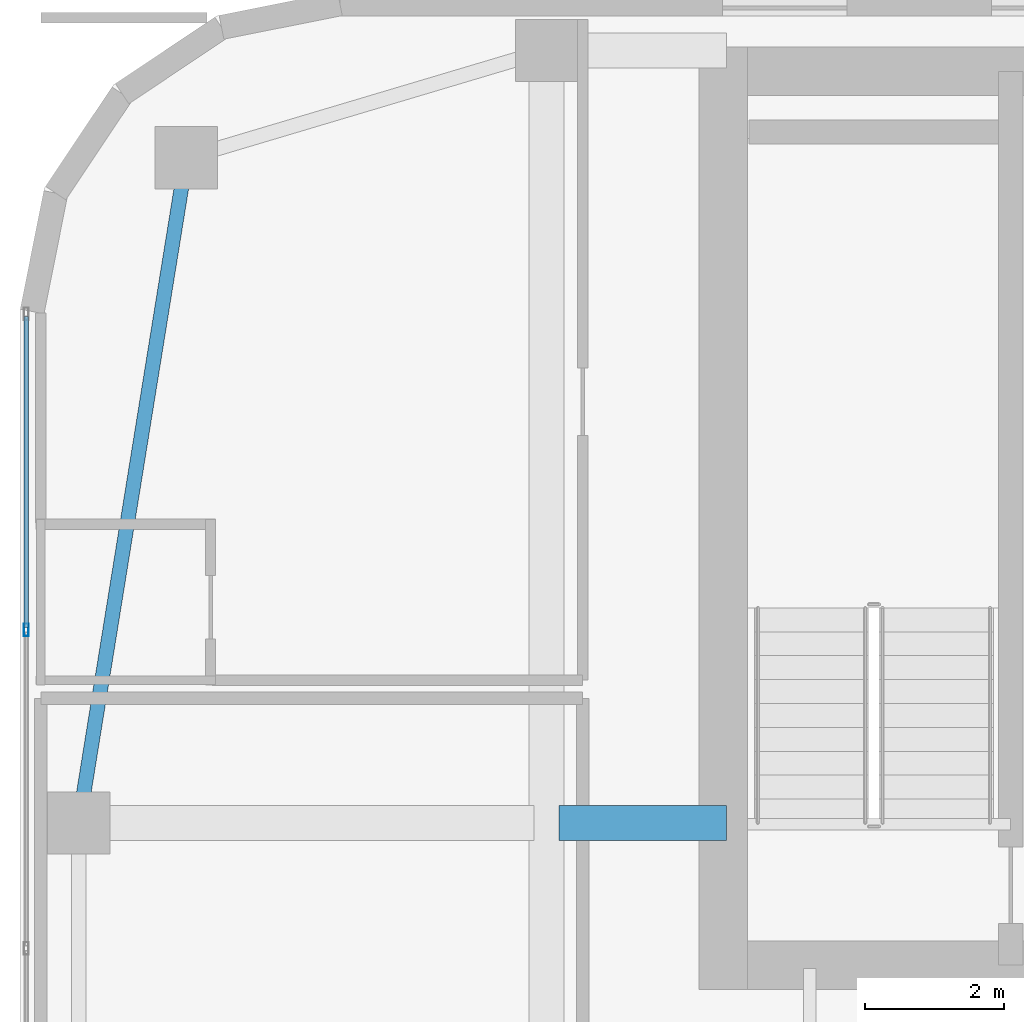
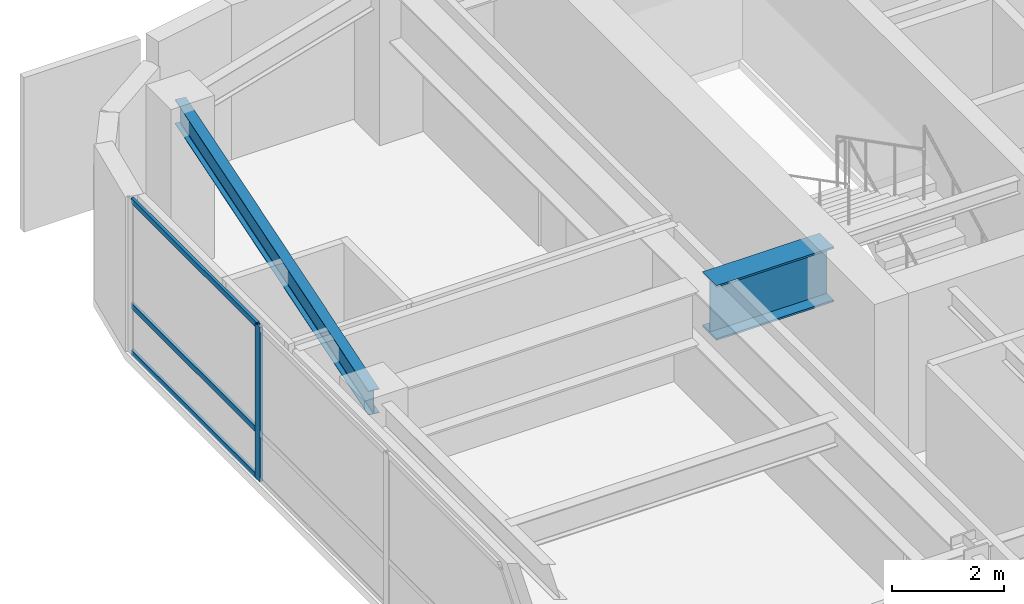
# One storey, part 22 of 37: 4 members, 2 beams, 1 element without a shape of its own.
"""IFC4 building model written with IfcOpenShell, lengths in metres."""

import ifcopenshell
import ifcopenshell.guid

model = None  # the IFC model being written
_history = None  # IfcOwnerHistory: only IFC2X3 demands one
_inside = {}  # id of a spatial element -> (the spatial element, [elements in it])
_under = {}  # id of a project, library or spatial element -> (it, [spatial elements below it])
_declared = {}  # id of a project -> (the project, [libraries it declares])
_typed = {}  # id of a type object -> (the type object, [elements of that type])
_made_of = {}  # id of a material, layer set ... -> (it, [elements and type objects made of it])


def new_model(schema):
    """Start an empty IFC model of exactly this schema.

    Asked for "IFC4X3", IfcOpenShell would pick the latest addendum, in which some entities
    have other attributes; the version numbers below select the first issue.
    IFC2X3 requires an IfcOwnerHistory on every rooted entity: one is made here for all.
    """
    global model, _history
    if schema == "IFC4X3":
        model = ifcopenshell.file(schema_version=(4, 3, 0, 0))
    else:
        model = ifcopenshell.file(schema=schema)
    _inside.clear()
    _under.clear()
    _declared.clear()
    _typed.clear()
    _made_of.clear()
    _history = None
    if model.schema == "IFC2X3":
        org = make("IfcOrganization", Name="unknown")
        user = make(
            "IfcPersonAndOrganization",
            ThePerson=make("IfcPerson", FamilyName="unknown"),
            TheOrganization=org,
        )
        app = make(
            "IfcApplication",
            ApplicationDeveloper=org,
            Version="unknown",
            ApplicationFullName="unknown",
            ApplicationIdentifier="unknown",
        )
        _history = make(
            "IfcOwnerHistory",
            OwningUser=user,
            OwningApplication=app,
            ChangeAction="ADDED",
            CreationDate=0,
        )
    return model


def make(cls, **values):
    """One entity of the class cls with the attributes given. An attribute that is None is left unset."""
    return model.create_entity(
        cls, **{name: value for name, value in values.items() if value is not None}
    )


def rooted(cls, **values):
    """An entity with a GlobalId (a new one), such as an element, a storey or a relation."""
    return make(cls, GlobalId=ifcopenshell.guid.new(), OwnerHistory=_history, **values)


def si_unit(unit_type, name, prefix=None):
    """IfcSIUnit, for example si_unit("LENGTHUNIT", "METRE", prefix="MILLI")."""
    return make("IfcSIUnit", UnitType=unit_type, Prefix=prefix, Name=name)


def assignment(units):
    """IfcUnitAssignment: the units of a project."""
    return None if units is None else make("IfcUnitAssignment", Units=units)


def point(xyz):
    """IfcCartesianPoint."""
    return None if xyz is None else make("IfcCartesianPoint", Coordinates=xyz)


def direction(xyz):
    """IfcDirection."""
    return None if xyz is None else make("IfcDirection", DirectionRatios=xyz)


def frame(location, z_axis=None, x_axis=None):
    """IfcAxis2Placement3D, a coordinate frame: its origin and axes. An axis left out is left unset."""
    return make(
        "IfcAxis2Placement3D",
        Location=point(location),
        Axis=direction(z_axis),
        RefDirection=direction(x_axis),
    )


def frame_2d(location, x_axis=None):
    """IfcAxis2Placement2D, a coordinate frame in the plane: its origin and x axis."""
    return make(
        "IfcAxis2Placement2D", Location=point(location), RefDirection=direction(x_axis)
    )


def origin():
    """The frame at (0, 0, 0) with its axes left unset."""
    return frame((0.0, 0.0, 0.0))


def origin_2d():
    """The frame at (0, 0) in the plane with its x axis left unset."""
    return frame_2d((0.0, 0.0))


def place(relative_to, where):
    """IfcLocalPlacement: puts the frame where relative to a parent placement (None: the world)."""
    return make(
        "IfcLocalPlacement", PlacementRelTo=relative_to, RelativePlacement=where
    )


def context(
    kind, dimensions, precision=None, world=None, true_north=None, identifier=None
):
    """IfcGeometricRepresentationContext, for example the 3D "Model" context."""
    return make(
        "IfcGeometricRepresentationContext",
        ContextIdentifier=identifier,
        ContextType=kind,
        CoordinateSpaceDimension=dimensions,
        Precision=precision,
        WorldCoordinateSystem=world,
        TrueNorth=true_north,
    )


def subcontext(parent, identifier, kind, view, scale=None):
    """IfcGeometricRepresentationSubContext, for example "Body" below "Model"."""
    return make(
        "IfcGeometricRepresentationSubContext",
        ContextIdentifier=identifier,
        ContextType=kind,
        ParentContext=parent,
        TargetScale=scale,
        TargetView=view,
    )


def project(units=None, contexts=None):
    """IfcProject with its units and contexts."""
    return rooted(
        "IfcProject",
        Name="project",
        RepresentationContexts=contexts,
        UnitsInContext=assignment(units),
    )


def spatial(cls, under=None, at=None, **own):
    """A site, building, storey or space (cls), placed at a placement, below another one or the project."""
    s = rooted(cls, ObjectPlacement=at, **own)
    if under is not None:
        _under.setdefault(under.id(), (under, []))[1].append(s)
    return s


def profile(cls, at=None, kind="AREA", **sizes):
    """A parametric profile (cls). Its sizes go by their IFC names, for example OverallWidth=200.0."""
    return make(cls, ProfileType=kind, Position=at, **sizes)


def hollow_rectangle(**sizes):
    """IfcRectangleHollowProfileDef."""
    return profile("IfcRectangleHollowProfileDef", **sizes)


def i_section(**sizes):
    """IfcIShapeProfileDef."""
    return profile("IfcIShapeProfileDef", **sizes)


def extrude(swept, where, along, depth):
    """IfcExtrudedAreaSolid: the profile swept, set in the frame where, extruded along a direction by depth."""
    return make(
        "IfcExtrudedAreaSolid",
        SweptArea=swept,
        Position=where,
        ExtrudedDirection=direction(along),
        Depth=depth,
    )


def shape(context_of_items, identifier, shape_type, items):
    """IfcShapeRepresentation: the items that make up one representation, for example the "Body"."""
    return make(
        "IfcShapeRepresentation",
        ContextOfItems=context_of_items,
        RepresentationIdentifier=identifier,
        RepresentationType=shape_type,
        Items=items,
    )


def source(mapping_origin, context_of_items, identifier, shape_type, items):
    """IfcRepresentationMap: a shape defined once, which mapped items show again and again."""
    return make(
        "IfcRepresentationMap",
        MappingOrigin=mapping_origin,
        MappedRepresentation=shape(context_of_items, identifier, shape_type, items),
    )


def transform(
    local_origin,
    x_axis=None,
    y_axis=None,
    z_axis=None,
    scale=None,
    scale2=None,
    scale3=None,
    uniform=True,
):
    """IfcCartesianTransformationOperator3D, or its non-uniform kind. x_axis, y_axis, z_axis: its Axis1, 2, 3."""
    if uniform:
        return make(
            "IfcCartesianTransformationOperator3D",
            Axis1=direction(x_axis),
            Axis2=direction(y_axis),
            LocalOrigin=point(local_origin),
            Scale=scale,
            Axis3=direction(z_axis),
        )
    return make(
        "IfcCartesianTransformationOperator3DnonUniform",
        Axis1=direction(x_axis),
        Axis2=direction(y_axis),
        LocalOrigin=point(local_origin),
        Scale=scale,
        Axis3=direction(z_axis),
        Scale2=scale2,
        Scale3=scale3,
    )


def mapped(mapping_source, mapping_target):
    """IfcMappedItem: shows the shape of a source again, moved by a transform."""
    return make(
        "IfcMappedItem", MappingSource=mapping_source, MappingTarget=mapping_target
    )


def material(Name=None, Category=None):
    """IfcMaterial."""
    return make("IfcMaterial", Name=Name, Category=Category)


def layer(
    of_material, thickness, ventilated=None, Name=None, Category=None, Priority=None
):
    """IfcMaterialLayer: one layer of a wall or slab, of a material (None: an air gap)."""
    return make(
        "IfcMaterialLayer",
        Material=of_material,
        LayerThickness=thickness,
        IsVentilated=ventilated,
        Name=Name,
        Category=Category,
        Priority=Priority,
    )


def layer_set(layers, Name=None):
    """IfcMaterialLayerSet."""
    return make("IfcMaterialLayerSet", MaterialLayers=layers, LayerSetName=Name)


def material_profile(
    of_material, cross_section, Name=None, Category=None, Priority=None
):
    """IfcMaterialProfile: a cross section and its material."""
    return make(
        "IfcMaterialProfile",
        Name=Name,
        Material=of_material,
        Profile=cross_section,
        Priority=Priority,
        Category=Category,
    )


def profile_set(profiles, Name=None, composite=None):
    """IfcMaterialProfileSet."""
    return make(
        "IfcMaterialProfileSet",
        Name=Name,
        MaterialProfiles=profiles,
        CompositeProfile=composite,
    )


def made_of(thing, what):
    """Note that an element or type object is made of a material, layer set ...; save() writes the relation."""
    if what is not None:
        _made_of.setdefault(what.id(), (what, []))[1].append(thing)
    return thing


def type_object(cls, material=None, **own):
    """A type object (cls), such as IfcWallType, which elements share."""
    return made_of(rooted(cls, **own), material)


def type_shapes(of_type, sources):
    """Give a type object the sources (RepresentationMaps) that its elements show as mapped items."""
    of_type.RepresentationMaps = sources


def element(
    cls,
    number,
    at=None,
    inside=None,
    cuts=None,
    type_object=None,
    material=None,
    context=None,
    identifier="Body",
    shape_type=None,
    held_by="IfcProductDefinitionShape",
    body=None,
    shapes=None,
    **own,
):
    """One element of the class cls, such as IfcWall. Its Tag is "e" and its number.

    at: its placement. inside: the storey or other place that contains it. cuts: it is an
    opening in that element (IfcRelVoidsElement). A single representation is given by context,
    identifier, shape_type and body (its items); several are given by shapes. held_by: the class
    of the entity that holds the representations. save() writes the other relations.
    """
    e = rooted(cls, Tag="e%d" % number, ObjectPlacement=at, **own)
    if body is not None:
        shapes = [shape(context, identifier, shape_type, body)]
    if shapes is not None:
        e.Representation = make(held_by, Representations=shapes)
    if inside is not None:
        _inside.setdefault(inside.id(), (inside, []))[1].append(e)
    if cuts is not None:
        rooted(
            "IfcRelVoidsElement", RelatingBuildingElement=cuts, RelatedOpeningElement=e
        )
    if type_object is not None:
        _typed.setdefault(type_object.id(), (type_object, []))[1].append(e)
    return made_of(e, material)


def aggregate(whole, parts):
    """IfcRelAggregates: a whole, such as a stair, and the parts it consists of."""
    return rooted("IfcRelAggregates", RelatingObject=whole, RelatedObjects=parts)


def save(model, path):
    """Write the relations noted so far, then the file.

    IfcRelAggregates (storeys below a building ...), IfcRelContainedInSpatialStructure (elements
    in a storey), IfcRelDefinesByType, IfcRelAssociatesMaterial and IfcRelDeclares: one each for
    every whole, place, type object, material and project.
    """
    for whole, parts in _under.values():
        aggregate(whole, parts)
    for where, things in _inside.values():
        rooted(
            "IfcRelContainedInSpatialStructure",
            RelatedElements=things,
            RelatingStructure=where,
        )
    for kind, things in _typed.values():
        rooted("IfcRelDefinesByType", RelatedObjects=things, RelatingType=kind)
    for what, things in _made_of.values():
        rooted("IfcRelAssociatesMaterial", RelatedObjects=things, RelatingMaterial=what)
    for by, libraries in _declared.values():
        rooted("IfcRelDeclares", RelatingContext=by, RelatedDefinitions=libraries)
    model.write(path)


model = new_model("IFC4")

# Units and contexts
model_context = context("Model", 3, precision=1e-05, world=origin(), true_north=direction((0.0, 1.0)))
body_context = subcontext(model_context, "Body", "Model", "MODEL_VIEW")
ifc_project = project(units=[si_unit("LENGTHUNIT", "METRE"), si_unit("AREAUNIT", "SQUARE_METRE"), si_unit("VOLUMEUNIT", "CUBIC_METRE"), si_unit("PLANEANGLEUNIT", "RADIAN"), si_unit("MASSUNIT", "GRAM", prefix="KILO")], contexts=[model_context])

# Site, building, storey
site_placement = place(None, origin())
site = spatial("IfcSite", under=ifc_project, at=site_placement, CompositionType="ELEMENT")
building_placement = place(site_placement, origin())
building = spatial("IfcBuilding", under=site, at=building_placement, Name="Tolvann Quenvar Hotel", CompositionType="ELEMENT")
storey_placement = place(building_placement, frame((0.0, 0.0, 104.449951171875)))
storey = spatial("IfcBuildingStorey", under=building, at=storey_placement, Name="L26", CompositionType="ELEMENT", Elevation=104.449951171875)

# Beams
ifc_material_1 = material(Name="Steel Grade 350", Category="steel")
ifc_material_profile_1 = material_profile(ifc_material_1, i_section(OverallWidth=0.208984375, OverallDepth=0.528076171875, WebThickness=0.009521484375, FlangeThickness=0.01318359375, FilletRadius=0.013916015625, at=origin_2d()), Name="530UB82")
ifc_profile_set_1 = profile_set([ifc_material_profile_1], Name="Steel Grade 350")
beam_type_1 = type_object("IfcBeamType", Name="BM_SPAND_530UB82", PredefinedType="SPANDREL", material=ifc_profile_set_1)
shared_shape_1 = source(origin(), body_context, "Body", "SweptSolid", [
    extrude(i_section(OverallWidth=0.208984375, OverallDepth=0.528076171875, WebThickness=0.009521484375, FlangeThickness=0.01318359375, FilletRadius=0.013916015625, at=origin_2d()), origin(), (0.0, 0.0, 1.0), 9.724365234375),
])
type_shapes(beam_type_1, [shared_shape_1])
beam_1_placement = place(storey_placement, frame((0.85009765625, 34.0, 3.10595703125), z_axis=(0.159372939192, 0.987218449105, 0.0), x_axis=(-0.987218449105, 0.159372939192, 0.0)))
element("IfcBeam", 1, at=beam_1_placement, inside=storey, type_object=beam_type_1, Name="BM-L26-FLK-W2", PredefinedType="SPANDREL", context=body_context, shape_type="MappedRepresentation", body=[
    mapped(shared_shape_1, transform((0.0, 0.0, 0.0), x_axis=(1.0, 0.0, 0.0), y_axis=(0.0, 1.0, 0.0), z_axis=(0.0, 0.0, 1.0), scale=1.0)),
])
ifc_material_profile_2 = material_profile(ifc_material_1, i_section(OverallWidth=0.5, OverallDepth=1.199951171875, WebThickness=0.01611328125, FlangeThickness=0.0400390625, at=origin_2d()), Name="1200WB455")
ifc_profile_set_2 = profile_set([ifc_material_profile_2], Name="Steel Grade 350")
beam_type_2 = type_object("IfcBeamType", Name="BM_TG_1200WB455", PredefinedType="USERDEFINED", material=ifc_profile_set_2)
shared_shape_2 = source(origin(), body_context, "Body", "SweptSolid", [
    extrude(i_section(OverallWidth=0.5, OverallDepth=1.199951171875, WebThickness=0.01611328125, FlangeThickness=0.0400390625, at=origin_2d()), origin(), (0.0, 0.0, 1.0), 2.419921875),
])
type_shapes(beam_type_2, [shared_shape_2])
beam_2_placement = place(storey_placement, frame((7.780029296875, 34.0, 2.77001953125), z_axis=(1.0, 0.0, 0.0), x_axis=(0.0, 1.0, 0.0)))
element("IfcBeam", 2, at=beam_2_placement, inside=storey, type_object=beam_type_2, Name="BM-L26-CTW-MID2", ObjectType="TRANSFER GIRDER", PredefinedType="USERDEFINED", context=body_context, shape_type="MappedRepresentation", body=[
    mapped(shared_shape_2, transform((0.0, 0.0, 0.0), x_axis=(1.0, 0.0, 0.0), y_axis=(0.0, 1.0, 0.0), z_axis=(0.0, 0.0, 1.0), scale=1.0)),
])

# Curtain wall, members
ifc_material_2 = material(Name="Thermally broken anodised architectural aluminium 6063-T6 and laminated low-E glass", Category="aluminium")
ifc_layer = layer(ifc_material_2, 0.179931640625)
ifc_layer_set = layer_set([ifc_layer], Name="Thermally broken anodised architectural aluminium 6063-T6 and laminated low-E glass")
curtain_wall_type = type_object("IfcCurtainWallType", Name="CW_SYS_BAND_04", PredefinedType="USERDEFINED", material=ifc_layer_set)
curtain_wall_placement = place(storey_placement, origin())
curtain_wall = element("IfcCurtainWall", 3, at=curtain_wall_placement, inside=storey, type_object=curtain_wall_type, Name="Curtain Wall CW-BAND-04 (CWR-L26-E23)", ObjectType="UNITISED CURTAIN WALL", PredefinedType="USERDEFINED")
ifc_material_3 = material(Name="Anodised architectural aluminium 6063-T6 framing", Category="aluminium")
ifc_material_profile_3 = material_profile(ifc_material_3, hollow_rectangle(XDim=0.070068359375, YDim=0.179931640625, WallThickness=0.00390625, at=origin_2d()), Name="180x70x4RHS")
ifc_profile_set_3 = profile_set([ifc_material_profile_3], Name="Anodised architectural aluminium 6063-T6 framing")
member_type_1 = type_object("IfcMemberType", Name="CW_MULL_180x70", PredefinedType="MULLION", material=ifc_profile_set_3)
shared_shape_3 = source(origin(), body_context, "Body", "SweptSolid", [
    extrude(hollow_rectangle(XDim=0.070068359375, YDim=0.179931640625, WallThickness=0.00390625, at=origin_2d()), origin(), (0.0, 0.0, 1.0), 3.3701171875),
])
type_shapes(member_type_1, [shared_shape_3])
member_1_placement = place(storey_placement, frame((0.090087890625, 36.787109375, 0.0), z_axis=(0.0, 0.0, 1.0), x_axis=(1.0, 0.0, 0.0)))
member_1 = element("IfcMember", 4, at=member_1_placement, type_object=member_type_1, Name="CW-BAND-04 mullion 2", PredefinedType="MULLION", context=body_context, shape_type="MappedRepresentation", body=[
    mapped(shared_shape_3, transform((0.0, 0.0, 0.0), x_axis=(1.0, 0.0, 0.0), y_axis=(0.0, 1.0, 0.0), z_axis=(0.0, 0.0, 1.0), scale=1.0)),
])
ifc_material_profile_4 = material_profile(ifc_material_3, hollow_rectangle(XDim=0.06005859375, YDim=0.1201171875, WallThickness=0.00341796875, at=origin_2d()), Name="120x60x3.5RHS")
ifc_profile_set_4 = profile_set([ifc_material_profile_4], Name="Anodised architectural aluminium 6063-T6 framing")
member_type_2 = type_object("IfcMemberType", Name="CW_TRAN_120x60", PredefinedType="USERDEFINED", material=ifc_profile_set_4)
shared_shape_4 = source(origin(), body_context, "Body", "SweptSolid", [
    extrude(hollow_rectangle(XDim=0.06005859375, YDim=0.1201171875, WallThickness=0.00341796875, at=origin_2d()), origin(), (0.0, 0.0, 1.0), 4.49072265625),
])
type_shapes(member_type_2, [shared_shape_4])
member_2_placement = place(storey_placement, frame((0.090087890625, 41.312744140625, 0.030029296875), z_axis=(0.0, -1.0, 0.0), x_axis=(1.0, 0.0, 0.0)))
member_2 = element("IfcMember", 5, at=member_2_placement, type_object=member_type_2, Name="CW-BAND-04 transom 1.1", ObjectType="TRANSOM", PredefinedType="USERDEFINED", context=body_context, shape_type="MappedRepresentation", body=[
    mapped(shared_shape_4, transform((0.0, 0.0, 0.0), x_axis=(1.0, 0.0, 0.0), y_axis=(0.0, 1.0, 0.0), z_axis=(0.0, 0.0, 1.0), scale=1.0)),
])
member_3_placement = place(storey_placement, frame((0.090087890625, 41.312744140625, 1.050048828125), z_axis=(0.0, -1.0, 0.0), x_axis=(1.0, 0.0, 0.0)))
member_3 = element("IfcMember", 6, at=member_3_placement, type_object=member_type_2, Name="CW-BAND-04 transom 1.2", ObjectType="TRANSOM", PredefinedType="USERDEFINED", context=body_context, shape_type="MappedRepresentation", body=[
    mapped(shared_shape_4, transform((0.0, 0.0, 0.0), x_axis=(1.0, 0.0, 0.0), y_axis=(0.0, 1.0, 0.0), z_axis=(0.0, 0.0, 1.0), scale=1.0)),
])
member_4_placement = place(storey_placement, frame((0.090087890625, 41.312744140625, 3.340087890625), z_axis=(0.0, -1.0, 0.0), x_axis=(1.0, 0.0, 0.0)))
member_4 = element("IfcMember", 7, at=member_4_placement, type_object=member_type_2, Name="CW-BAND-04 transom 1.3", ObjectType="TRANSOM", PredefinedType="USERDEFINED", context=body_context, shape_type="MappedRepresentation", body=[
    mapped(shared_shape_4, transform((0.0, 0.0, 0.0), x_axis=(1.0, 0.0, 0.0), y_axis=(0.0, 1.0, 0.0), z_axis=(0.0, 0.0, 1.0), scale=1.0)),
])
aggregate(curtain_wall, [member_1, member_2, member_3, member_4])

save(model, "model.ifc")
